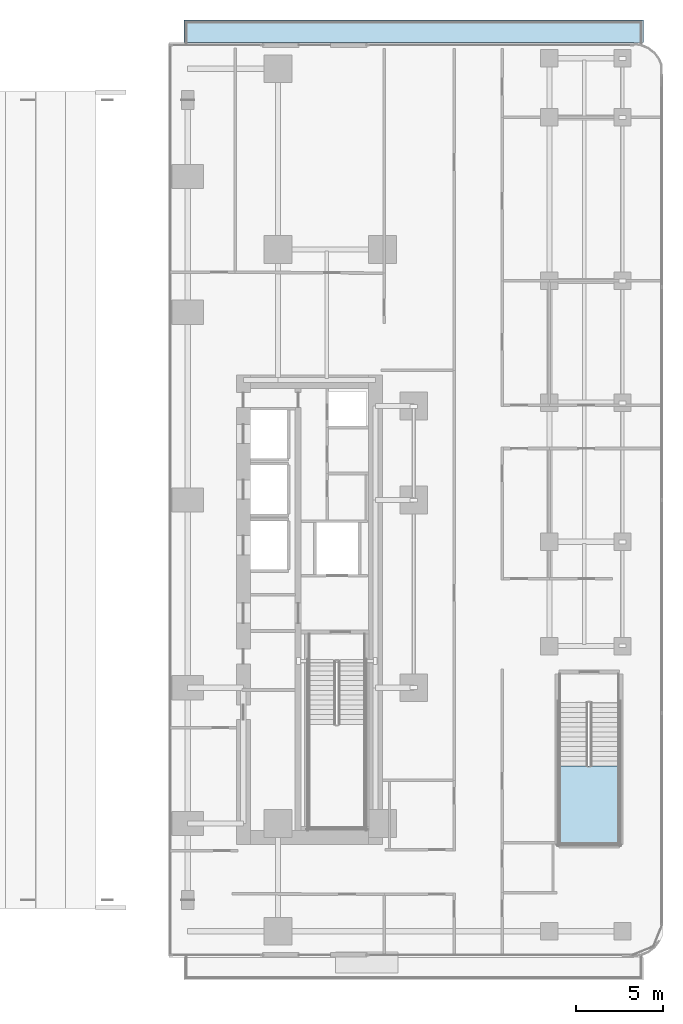
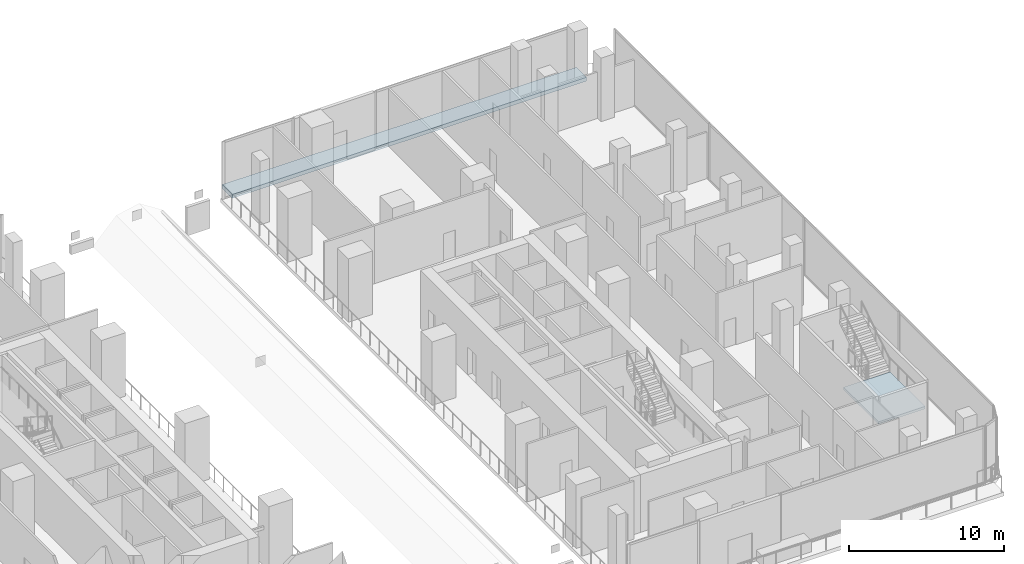
# One storey, part 6 of 32: 2 slabs, 1 element without a shape of its own.
"""IFC4 building model written with IfcOpenShell, lengths in metres."""

from ifc_helpers import new_model, si_unit, direction, frame, origin, place, context, subcontext, project, spatial, polyline, outline, extrude, material, layer, layer_set, type_object, element, aggregate, save


model = new_model("IFC4")

# Units and contexts
model_context = context("Model", 3, precision=1e-05, world=origin(), true_north=direction((0.0, 1.0)))
body_context = subcontext(model_context, "Body", "Model", "MODEL_VIEW")
ifc_project = project(units=[si_unit("LENGTHUNIT", "METRE"), si_unit("AREAUNIT", "SQUARE_METRE"), si_unit("VOLUMEUNIT", "CUBIC_METRE"), si_unit("PLANEANGLEUNIT", "RADIAN"), si_unit("MASSUNIT", "GRAM", prefix="KILO")], contexts=[model_context])

# Site, building, storey
site_placement = place(None, origin())
site = spatial("IfcSite", under=ifc_project, at=site_placement, CompositionType="ELEMENT")
building_placement = place(site_placement, origin())
building = spatial("IfcBuilding", under=site, at=building_placement, Name="Khairoan Windgate Tower", CompositionType="ELEMENT")
storey_placement = place(building_placement, frame((0.0, 0.0, 16.0)))
storey = spatial("IfcBuildingStorey", under=building, at=storey_placement, Name="L04", CompositionType="ELEMENT", Elevation=16.0)

# Slab
ifc_material_1 = material(Name="Concrete C40/50", Category="concrete")
ifc_layer_1 = layer(ifc_material_1, 0.300048828125, Name="Concrete C40/50")
ifc_layer_set_1 = layer_set([ifc_layer_1], Name="Concrete C40/50")
slab_type_1 = type_object("IfcSlabType", Name="Podium Terrace Roof Slab RS1 300mm", PredefinedType="ROOF", material=ifc_layer_set_1)
slab_1_placement = place(storey_placement, frame((0.0, 0.0, -0.300048828125)))
element("IfcSlab", 1, at=slab_1_placement, inside=storey, type_object=slab_type_1, Name="North-East Riverfront Sky Terrace", PredefinedType="ROOF", context=body_context, shape_type="SweptSolid", body=[
    extrude(outline(polyline([(9.0, 26.300048828125), (35.39990234375, 26.300048828125), (35.39990234375, 27.60009765625), (9.0, 27.60009765625), (9.0, 26.300048828125)])), origin(), (0.0, 0.0, 1.0), 0.300048828125),
])

# Stair, slab
ifc_material_2 = material(Name="Concrete C40/50", Category="concrete")
stair_type = type_object("IfcStairType", Name="Podium Exit Dog-Leg Stair ST-T2 1660mm", PredefinedType="HALF_TURN_STAIR", material=ifc_material_2)
stair_placement = place(storey_placement, origin())
stair = element("IfcStair", 2, at=stair_placement, inside=storey, type_object=stair_type, Name="L04 Stair ST3", PredefinedType="HALF_TURN_STAIR")
ifc_material_3 = material(Name="Concrete C40/50", Category="concrete")
ifc_layer_2 = layer(ifc_material_3, 0.199951171875, Name="Concrete C40/50")
ifc_layer_set_2 = layer_set([ifc_layer_2], Name="Concrete C40/50")
slab_type_2 = type_object("IfcSlabType", Name="Reinforced Concrete Stair Landing Slab STL-200", PredefinedType="LANDING", material=ifc_layer_set_2)
slab_2_placement = place(storey_placement, frame((0.0, 0.0, 2.300048828125)))
slab_2 = element("IfcSlab", 3, at=slab_2_placement, type_object=slab_type_2, Name="ST3 landing 1", PredefinedType="LANDING", context=body_context, shape_type="SweptSolid", body=[
    extrude(outline(polyline([(30.550048828125, -15.300048828125), (30.550048828125, -19.800048828125), (34.02001953125, -19.800048828125), (34.02001953125, -15.300048828125), (30.550048828125, -15.300048828125)])), origin(), (0.0, 0.0, 1.0), 0.199951171875),
])
aggregate(stair, [slab_2])

save(model, "model.ifc")
